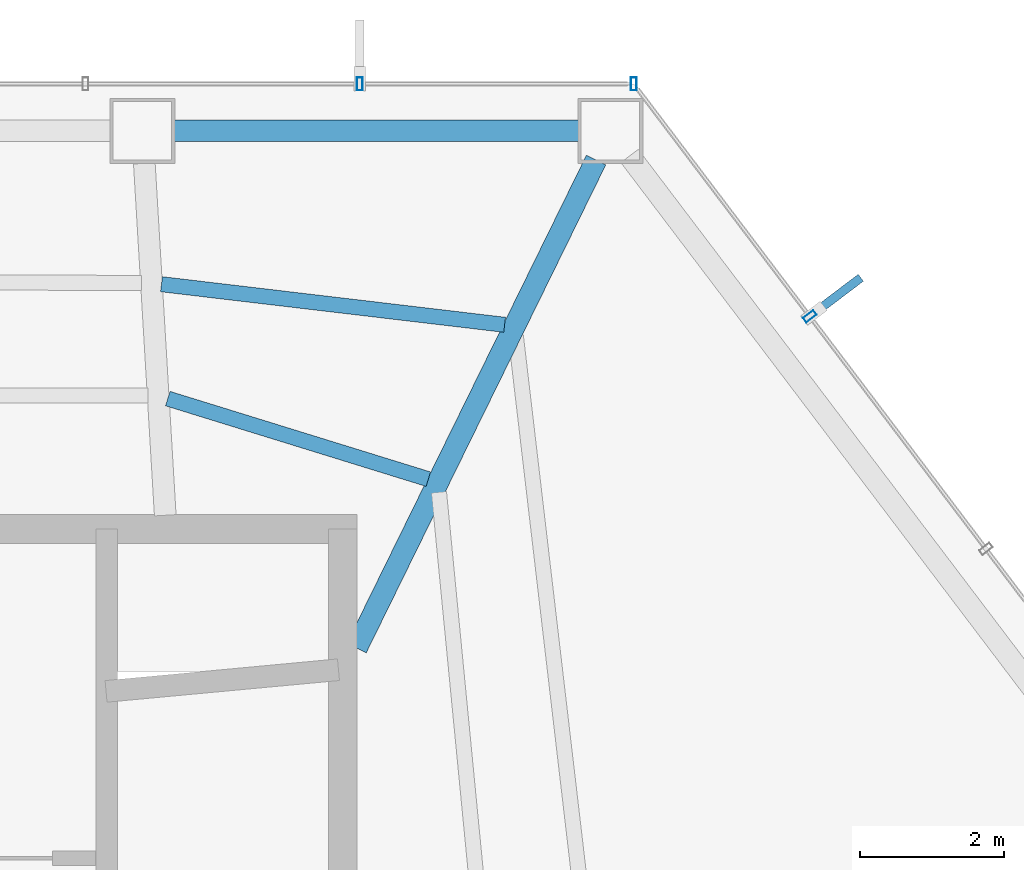
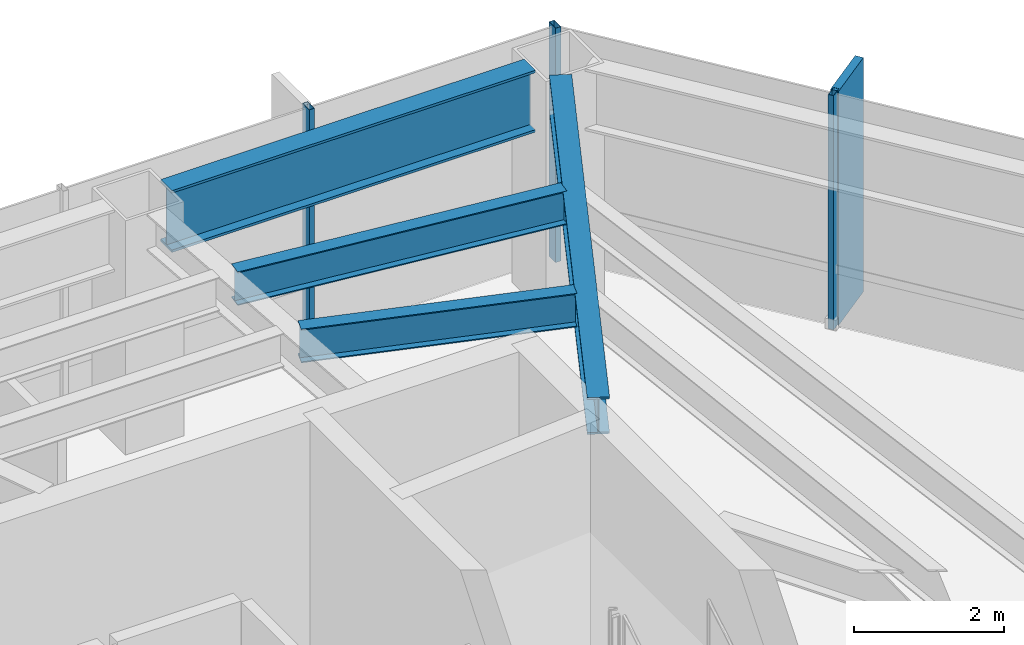
# One storey, part 19 of 25: 4 beams, 4 members, 2 elements without a shape of their own.
"""IFC4 building model written with IfcOpenShell, lengths in metres."""

from ifc_helpers import new_model, si_unit, direction, frame, origin, origin_2d, place, context, subcontext, project, spatial, rectangle, hollow_rectangle, i_section, extrude, material, layer, layer_set, material_profile, profile_set, type_object, element, aggregate, save


model = new_model("IFC4")

# Units and contexts
model_context = context("Model", 3, precision=1e-05, world=origin(), true_north=direction((0.0, 1.0)))
body_context = subcontext(model_context, "Body", "Model", "MODEL_VIEW")
ifc_project = project(units=[si_unit("LENGTHUNIT", "METRE"), si_unit("AREAUNIT", "SQUARE_METRE"), si_unit("VOLUMEUNIT", "CUBIC_METRE"), si_unit("PLANEANGLEUNIT", "RADIAN"), si_unit("MASSUNIT", "GRAM", prefix="KILO")], contexts=[model_context])

# Site, building, storey
site_placement = place(None, origin())
site = spatial("IfcSite", under=ifc_project, at=site_placement, CompositionType="ELEMENT")
building_placement = place(site_placement, origin())
building = spatial("IfcBuilding", under=site, at=building_placement, Name="Zarrinselat Tower", CompositionType="ELEMENT")
storey_placement = place(building_placement, frame((0.0, 0.0, 84.659912109375)))
storey = spatial("IfcBuildingStorey", under=building, at=storey_placement, Name="L20", CompositionType="ELEMENT", Elevation=84.659912109375)

# Beams
ifc_material_1 = material(Name="Steel S355J2", Category="steel")
ifc_material_profile_1 = material_profile(ifc_material_1, i_section(OverallWidth=0.300048828125, OverallDepth=0.60009765625, WebThickness=0.015380859375, FlangeThickness=0.030029296875, at=origin_2d()), Name="HEB 600")
ifc_profile_set_1 = profile_set([ifc_material_profile_1], Name="Steel S355J2")
beam_type_1 = type_object("IfcBeamType", Name="BM-HEB600", PredefinedType="BEAM", material=ifc_profile_set_1)
beam_1_placement = place(storey_placement, frame((48.449951171875, 41.800048828125, 3.52001953125), z_axis=(0.440705958749, 0.897651523657, 0.0), x_axis=(-0.897651523657, 0.440705958749, 0.0)))
element("IfcBeam", 1, at=beam_1_placement, inside=storey, type_object=beam_type_1, Name="L20 Radial Primary Girder RG01", PredefinedType="BEAM", context=body_context, shape_type="SweptSolid", body=[
    extrude(i_section(OverallWidth=0.300048828125, OverallDepth=0.60009765625, WebThickness=0.015380859375, FlangeThickness=0.030029296875, at=origin_2d()), origin(), (0.0, 0.0, 1.0), 7.531982421875),
])
ifc_material_2 = material(Name="Steel S460M", Category="steel")
ifc_material_profile_2 = material_profile(ifc_material_2, i_section(OverallWidth=0.302001953125, OverallDepth=1.008056640625, WebThickness=0.02099609375, FlangeThickness=0.0400390625, at=origin_2d()), Name="HEM 1000")
ifc_profile_set_2 = profile_set([ifc_material_profile_2], Name="Steel S460M")
beam_type_2 = type_object("IfcBeamType", Name="BM-HEM1000", PredefinedType="BEAM", material=ifc_profile_set_2)
beam_2_placement = place(storey_placement, frame((45.921142578125, 48.966796875, 3.316162109375), z_axis=(1.0, 0.0, 0.0), x_axis=(0.0, 1.0, 0.0)))
element("IfcBeam", 2, at=beam_2_placement, inside=storey, type_object=beam_type_2, Name="L20 Perimeter Spandrel Girder SP01", PredefinedType="BEAM", context=body_context, shape_type="SweptSolid", body=[
    extrude(i_section(OverallWidth=0.302001953125, OverallDepth=1.008056640625, WebThickness=0.02099609375, FlangeThickness=0.0400390625, at=origin_2d()), origin(), (0.0, 0.0, 1.0), 5.609375),
])
ifc_material_3 = material(Name="Steel S355J2", Category="steel")
ifc_material_profile_3 = material_profile(ifc_material_3, i_section(OverallWidth=0.2099609375, OverallDepth=0.550048828125, WebThickness=0.010986328125, FlangeThickness=0.01708984375, at=origin_2d()), Name="IPE 550")
ifc_profile_set_3 = profile_set([ifc_material_profile_3], Name="Steel S355J2")
beam_type_3 = type_object("IfcBeamType", Name="BM-IPE550", PredefinedType="JOIST", material=ifc_profile_set_3)
beam_3_placement = place(storey_placement, frame((45.74755859375, 46.84130859375, 3.545166015625), z_axis=(0.993073107699, -0.117498096859, 0.0), x_axis=(0.117498096859, 0.993073107699, 0.0)))
element("IfcBeam", 3, at=beam_3_placement, inside=storey, type_object=beam_type_3, Name="L20 Composite Floor Joist 6-1", PredefinedType="JOIST", context=body_context, shape_type="SweptSolid", body=[
    extrude(i_section(OverallWidth=0.2099609375, OverallDepth=0.550048828125, WebThickness=0.010986328125, FlangeThickness=0.01708984375, at=origin_2d()), origin(), (0.0, 0.0, 1.0), 4.787353515625),
])
beam_4_placement = place(storey_placement, frame((45.835205078125, 45.25634765625, 3.545166015625), z_axis=(0.955364513976, -0.295429594718, 0.0), x_axis=(0.295429594718, 0.955364513976, 0.0)))
element("IfcBeam", 4, at=beam_4_placement, inside=storey, type_object=beam_type_3, Name="L20 Composite Floor Joist 6-2", PredefinedType="JOIST", context=body_context, shape_type="SweptSolid", body=[
    extrude(i_section(OverallWidth=0.2099609375, OverallDepth=0.550048828125, WebThickness=0.010986328125, FlangeThickness=0.01708984375, at=origin_2d()), origin(), (0.0, 0.0, 1.0), 3.7783203125),
])

# Curtain wall, members
ifc_material_4 = material(Name="Extruded Aluminium Alloy EN AW-6063 T6", Category="aluminium")
ifc_layer = layer(ifc_material_4, 0.18505859375)
ifc_layer_set = layer_set([ifc_layer], Name="Extruded Aluminium Alloy EN AW-6063 T6")
curtain_wall_type = type_object("IfcCurtainWallType", Name="CWS-OFF", PredefinedType="NOTDEFINED", material=ifc_layer_set)
curtain_wall_1_placement = place(storey_placement, origin())
curtain_wall_1 = element("IfcCurtainWall", 5, at=curtain_wall_1_placement, inside=storey, type_object=curtain_wall_type, Name="L20 Unitised Curtain Wall CW-L20-E01", PredefinedType="NOTDEFINED")
ifc_material_5 = material(Name="Extruded Aluminium Alloy EN AW-6063 T6", Category="aluminium")
ifc_material_profile_4 = material_profile(ifc_material_5, hollow_rectangle(XDim=0.080078125, YDim=0.179931640625, WallThickness=0.0048828125, at=origin_2d()), Name="RHS 180x80x5")
ifc_profile_set_4 = profile_set([ifc_material_profile_4], Name="Extruded Aluminium Alloy EN AW-6063 T6")
member_type_1 = type_object("IfcMemberType", Name="MEM-CW-MUL", PredefinedType="MULLION", material=ifc_profile_set_4)
member_1_placement = place(storey_placement, frame((52.29150390625, 49.61669921875, 0.0), z_axis=(0.0, 0.0, 1.0), x_axis=(-1.0, 0.0, 0.0)))
member_1 = element("IfcMember", 6, at=member_1_placement, type_object=member_type_1, Name="CW-L20-E01 Mullion 0", PredefinedType="MULLION", context=body_context, shape_type="SweptSolid", body=[
    extrude(hollow_rectangle(XDim=0.080078125, YDim=0.179931640625, WallThickness=0.0048828125, at=origin_2d()), origin(), (0.0, 0.0, 1.0), 3.820068359375),
])
member_2_placement = place(storey_placement, frame((48.493408203125, 49.61669921875, 0.0), z_axis=(0.0, 0.0, 1.0), x_axis=(-1.0, 0.0, 0.0)))
member_2 = element("IfcMember", 7, at=member_2_placement, type_object=member_type_1, Name="CW-L20-E01 Mullion 1", PredefinedType="MULLION", context=body_context, shape_type="SweptSolid", body=[
    extrude(hollow_rectangle(XDim=0.080078125, YDim=0.179931640625, WallThickness=0.0048828125, at=origin_2d()), origin(), (0.0, 0.0, 1.0), 3.820068359375),
])
aggregate(curtain_wall_1, [member_1, member_2])

curtain_wall_2_placement = place(storey_placement, origin())
curtain_wall_2 = element("IfcCurtainWall", 8, at=curtain_wall_2_placement, inside=storey, type_object=curtain_wall_type, Name="L20 Unitised Curtain Wall CW-L20-E06", PredefinedType="NOTDEFINED")
member_3_placement = place(storey_placement, frame((54.731201171875, 46.396240234375, 0.0), z_axis=(0.0, 0.0, 1.0), x_axis=(-0.603858164533, 0.797091787141, 0.0)))
member_3 = element("IfcMember", 9, at=member_3_placement, type_object=member_type_1, Name="CW-L20-E06 Mullion 3", PredefinedType="MULLION", context=body_context, shape_type="SweptSolid", body=[
    extrude(hollow_rectangle(XDim=0.080078125, YDim=0.179931640625, WallThickness=0.0048828125, at=origin_2d()), origin(), (0.0, 0.0, 1.0), 3.820068359375),
])
ifc_material_6 = material(Name="Honed Cream Travertine Stone", Category="masonry")
ifc_material_profile_5 = material_profile(ifc_material_6, rectangle(XDim=0.1201171875, YDim=0.85009765625, at=origin_2d()), Name="FIN 850x120")
ifc_profile_set_5 = profile_set([ifc_material_profile_5], Name="Honed Cream Travertine Stone")
member_type_2 = type_object("IfcMemberType", Name="MEM-STONE-FIN", PredefinedType="USERDEFINED", material=ifc_profile_set_5)
member_4_placement = place(storey_placement, frame((55.097900390625, 46.674072265625, 0.0), z_axis=(0.0, 0.0, 1.0), x_axis=(0.603858164533, -0.797091787141, 0.0)))
member_4 = element("IfcMember", 10, at=member_4_placement, type_object=member_type_2, Name="L20 Stone Shading Fin CW-L20-E06-03", ObjectType="FIN", PredefinedType="USERDEFINED", context=body_context, shape_type="SweptSolid", body=[
    extrude(rectangle(XDim=0.1201171875, YDim=0.85009765625, at=origin_2d()), origin(), (0.0, 0.0, 1.0), 3.820068359375),
])
aggregate(curtain_wall_2, [member_3, member_4])

save(model, "model.ifc")
